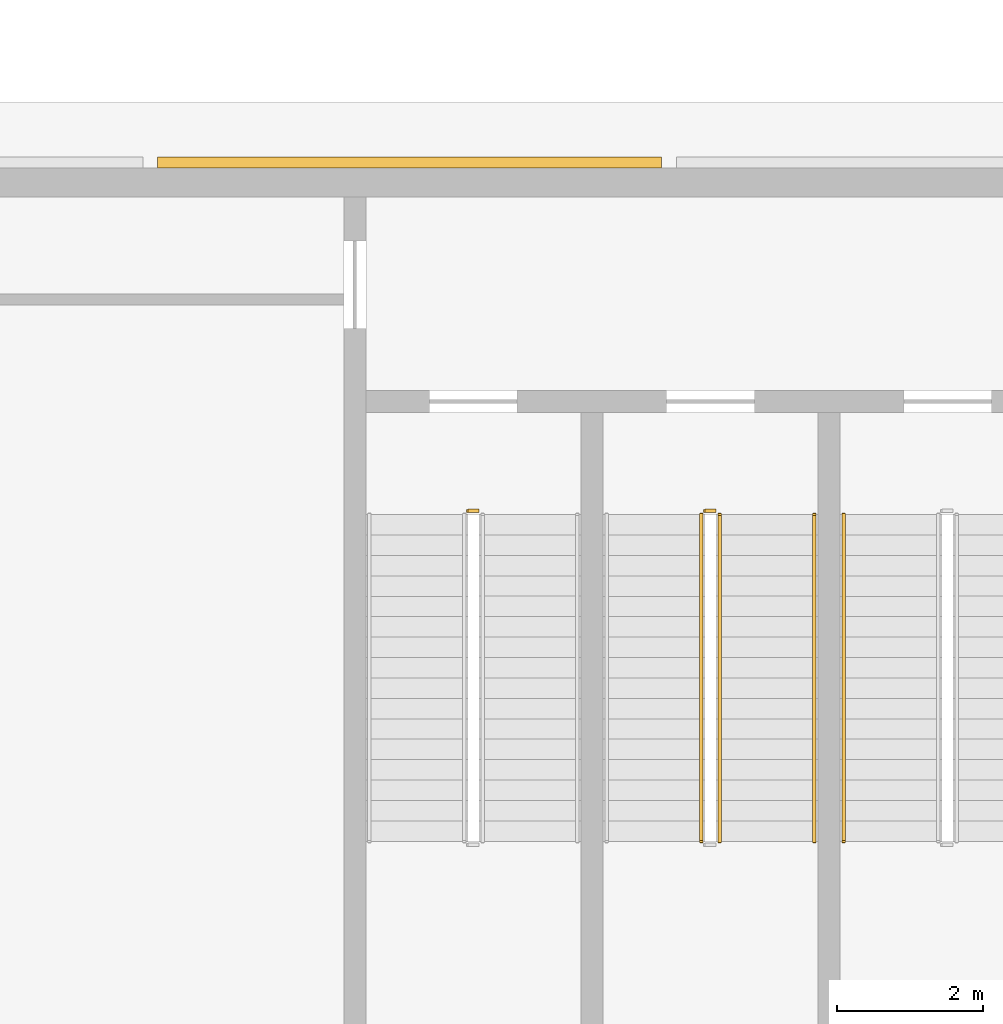
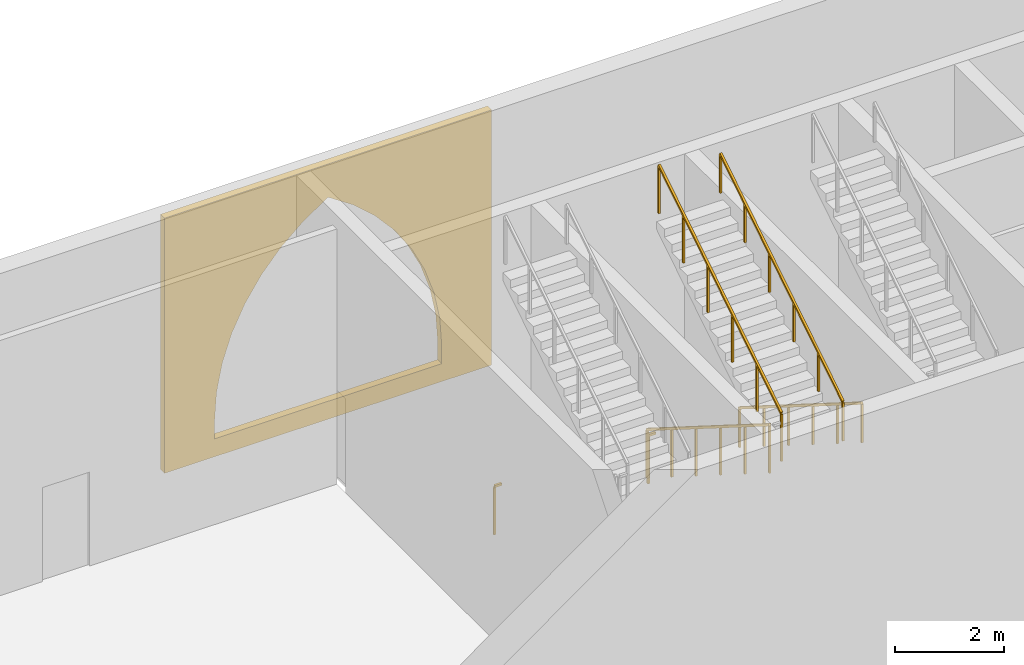
# One storey, part 47 of 74: 6 railings, 1 covering.
"""IFC4 building model written with IfcOpenShell, lengths in metres."""

from ifc_helpers import new_model, si_unit, direction, frame, origin, origin_2d, place, context, subcontext, project, spatial, polyline, rectangle, outline, extrude, material, layer, layer_set, type_object, element, save


model = new_model("IFC4")

# Units and contexts
model_context = context("Model", 3, precision=1e-05, world=origin(), true_north=direction((0.0, 1.0)))
body_context = subcontext(model_context, "Body", "Model", "MODEL_VIEW")
ifc_project = project(units=[si_unit("LENGTHUNIT", "METRE"), si_unit("AREAUNIT", "SQUARE_METRE"), si_unit("VOLUMEUNIT", "CUBIC_METRE"), si_unit("PLANEANGLEUNIT", "RADIAN"), si_unit("MASSUNIT", "GRAM", prefix="KILO")], contexts=[model_context])

# Site, building, storey
site_placement = place(None, origin())
site = spatial("IfcSite", under=ifc_project, at=site_placement, CompositionType="ELEMENT")
building_placement = place(site_placement, origin())
building = spatial("IfcBuilding", under=site, at=building_placement, Name="Noorbagh Ring Tower", CompositionType="ELEMENT")
storey_placement = place(building_placement, frame((0.0, 0.0, 7.5)))
storey = spatial("IfcBuildingStorey", under=building, at=storey_placement, Name="L01", CompositionType="ELEMENT", Elevation=7.5)

# Covering
ifc_material_1 = material(Name="Red sandstone cladding", Category="masonry")
ifc_layer = layer(ifc_material_1, 0.14990234375)
ifc_layer_set = layer_set([ifc_layer], Name="Red sandstone cladding")
covering_type = type_object("IfcCoveringType", Name="STH-BLIND", PredefinedType="USERDEFINED", material=ifc_layer_set)
covering_placement = place(storey_placement, frame((-124.04443359375, 31.14990234375, 0.0), z_axis=(0.0, 1.0, 0.0), x_axis=(-1.0, 0.0, 0.0)))
element("IfcCovering", 1, at=covering_placement, inside=storey, type_object=covering_type, Name="Blind arch bay", ObjectType="ARCH", PredefinedType="USERDEFINED", context=body_context, shape_type="SweptSolid", body=[
    extrude(outline(polyline([(0.0, 0.0), (6.9111328125, 0.0), (6.9111328125, 5.699951171875), (0.0, 5.699951171875), (0.0, 0.0)]), holes=[polyline([(1.0556640625, 0.39990234375), (1.0556640625, 0.800048828125), (1.0966796875, 1.426513671875), (1.21923828125, 2.042236328125), (1.4208984375, 2.636962890625), (1.69873046875, 3.199951171875), (2.047607421875, 3.72216796875), (2.46142578125, 4.194091796875), (2.93359375, 4.608154296875), (3.45556640625, 4.956787109375), (3.977783203125, 4.608154296875), (4.44970703125, 4.194091796875), (4.86376953125, 3.72216796875), (5.21240234375, 3.199951171875), (5.490234375, 2.636962890625), (5.69189453125, 2.042236328125), (5.814453125, 1.426513671875), (5.855712890625, 0.800048828125), (5.855712890625, 0.39990234375), (1.0556640625, 0.39990234375)])]), origin(), (0.0, 0.0, -1.0), 0.14990234375),
])

# Railings
ifc_material_2 = material(Name="Stainless steel", Category="steel")
railing_type_1 = type_object("IfcRailingType", Name="TH-STAIR-GUARD", PredefinedType="GUARDRAIL", material=ifc_material_2)
railing_1_placement = place(storey_placement, frame((-123.5, 26.25, 0.176513671875)))
element("IfcRailing", 2, at=railing_1_placement, inside=storey, type_object=railing_type_1, Name="L01 TSN1 stair guard 1", PredefinedType="GUARDRAIL", context=body_context, shape_type="SweptSolid", body=[
    extrude(rectangle(XDim=0.048095703125, YDim=0.048095703125, at=origin_2d()), frame((0.0, 0.0, 1.076171875), z_axis=(0.0, -0.845997938375, 0.533186166611), x_axis=(1.0, 0.0, 0.0)), (0.0, 0.0, 1.0), 5.29541015625),
    extrude(rectangle(XDim=0.0419921875, YDim=0.0419921875, at=origin_2d()), origin(), (0.0, 0.0, 1.0), 1.052001953125),
    extrude(rectangle(XDim=0.0419921875, YDim=0.0419921875, at=origin_2d()), frame((0.0, -0.89599609375, 0.564697265625)), (0.0, 0.0, 1.0), 1.052001953125),
    extrude(rectangle(XDim=0.0419921875, YDim=0.0419921875, at=origin_2d()), frame((0.0, -1.7919921875, 1.12939453125)), (0.0, 0.0, 1.0), 1.052001953125),
    extrude(rectangle(XDim=0.0419921875, YDim=0.0419921875, at=origin_2d()), frame((0.0, -2.68798828125, 1.694091796875)), (0.0, 0.0, 1.0), 1.052001953125),
    extrude(rectangle(XDim=0.0419921875, YDim=0.0419921875, at=origin_2d()), frame((0.0, -3.583984375, 2.2587890625)), (0.0, 0.0, 1.0), 1.052001953125),
    extrude(rectangle(XDim=0.0419921875, YDim=0.0419921875, at=origin_2d()), frame((0.0, -4.47998046875, 2.823486328125)), (0.0, 0.0, 1.0), 1.052001953125),
])
railing_2_placement = place(storey_placement, frame((-123.25, 21.77001953125, 3.176513671875)))
element("IfcRailing", 3, at=railing_2_placement, inside=storey, type_object=railing_type_1, Name="L01 TSN1 stair guard 3", PredefinedType="GUARDRAIL", context=body_context, shape_type="SweptSolid", body=[
    extrude(rectangle(XDim=0.048095703125, YDim=0.048095703125, at=origin_2d()), frame((0.0, 0.0, 1.076171875), z_axis=(0.0, 0.845997938375, 0.533186166611), x_axis=(-1.0, 0.0, 0.0)), (0.0, 0.0, 1.0), 5.29541015625),
    extrude(rectangle(XDim=0.0419921875, YDim=0.0419921875, at=origin_2d()), origin(), (0.0, 0.0, 1.0), 1.052001953125),
    extrude(rectangle(XDim=0.0419921875, YDim=0.0419921875, at=origin_2d()), frame((0.0, 0.89599609375, 0.564697265625)), (0.0, 0.0, 1.0), 1.052001953125),
    extrude(rectangle(XDim=0.0419921875, YDim=0.0419921875, at=origin_2d()), frame((0.0, 1.7919921875, 1.12939453125)), (0.0, 0.0, 1.0), 1.052001953125),
    extrude(rectangle(XDim=0.0419921875, YDim=0.0419921875, at=origin_2d()), frame((0.0, 2.68798828125, 1.694091796875)), (0.0, 0.0, 1.0), 1.052001953125),
    extrude(rectangle(XDim=0.0419921875, YDim=0.0419921875, at=origin_2d()), frame((0.0, 3.583984375, 2.2587890625)), (0.0, 0.0, 1.0), 1.052001953125),
    extrude(rectangle(XDim=0.0419921875, YDim=0.0419921875, at=origin_2d()), frame((0.0, 4.47998046875, 2.823486328125)), (0.0, 0.0, 1.0), 1.052001953125),
])
for number, where, name in (
    (4, (-123.449951171875, 26.300048828125, 0.0), "L01 TSN1 stair guard 4"),
    (5, (-126.699951171875, 26.300048828125, 0.0), "L01 TSN3 stair guard 4"),
):
    element("IfcRailing", number, at=place(storey_placement, frame(where)), inside=storey, type_object=railing_type_1, Name=name, PredefinedType="GUARDRAIL", context=body_context, shape_type="SweptSolid", body=[
        extrude(rectangle(XDim=0.048095703125, YDim=0.048095703125, at=origin_2d()), frame((0.0, 0.0, 1.076171875), z_axis=(1.0, 0.0, 0.0), x_axis=(0.0, 1.0, 0.0)), (0.0, 0.0, 1.0), 0.14990234375),
        extrude(rectangle(XDim=0.0419921875, YDim=0.0419921875, at=origin_2d()), origin(), (0.0, 0.0, 1.0), 1.052001953125),
    ])
ifc_material_3 = material(Name="Stainless steel", Category="steel")
railing_type_2 = type_object("IfcRailingType", Name="TH-STAIR-HANDRAIL", PredefinedType="HANDRAIL", material=ifc_material_3)
railing_3_placement = place(storey_placement, frame((-121.949951171875, 21.77001953125, 3.176513671875)))
element("IfcRailing", 6, at=railing_3_placement, inside=storey, type_object=railing_type_2, Name="L01 TSN1 stair handrail 2", PredefinedType="HANDRAIL", context=body_context, shape_type="SweptSolid", body=[
    extrude(rectangle(XDim=0.048095703125, YDim=0.048095703125, at=origin_2d()), frame((0.0, 0.0, 0.8759765625), z_axis=(0.0, 0.845997938375, 0.533186166611), x_axis=(-1.0, 0.0, 0.0)), (0.0, 0.0, 1.0), 5.29541015625),
    extrude(rectangle(XDim=0.0419921875, YDim=0.0419921875, at=origin_2d()), origin(), (0.0, 0.0, 1.0), 0.851806640625),
    extrude(rectangle(XDim=0.0419921875, YDim=0.0419921875, at=origin_2d()), frame((0.0, 0.89599609375, 0.564697265625)), (0.0, 0.0, 1.0), 0.851806640625),
    extrude(rectangle(XDim=0.0419921875, YDim=0.0419921875, at=origin_2d()), frame((0.0, 1.7919921875, 1.12939453125)), (0.0, 0.0, 1.0), 0.851806640625),
    extrude(rectangle(XDim=0.0419921875, YDim=0.0419921875, at=origin_2d()), frame((0.0, 2.68798828125, 1.694091796875)), (0.0, 0.0, 1.0), 0.851806640625),
    extrude(rectangle(XDim=0.0419921875, YDim=0.0419921875, at=origin_2d()), frame((0.0, 3.583984375, 2.2587890625)), (0.0, 0.0, 1.0), 0.851806640625),
    extrude(rectangle(XDim=0.0419921875, YDim=0.0419921875, at=origin_2d()), frame((0.0, 4.47998046875, 2.823486328125)), (0.0, 0.0, 1.0), 0.851806640625),
])
railing_4_placement = place(storey_placement, frame((-121.550048828125, 26.25, 0.176513671875)))
element("IfcRailing", 7, at=railing_4_placement, inside=storey, type_object=railing_type_2, Name="L01 TSN2 stair handrail 1", PredefinedType="HANDRAIL", context=body_context, shape_type="SweptSolid", body=[
    extrude(rectangle(XDim=0.048095703125, YDim=0.048095703125, at=origin_2d()), frame((0.0, 0.0, 0.8759765625), z_axis=(0.0, -0.845997938375, 0.533186166611), x_axis=(1.0, 0.0, 0.0)), (0.0, 0.0, 1.0), 5.29541015625),
    extrude(rectangle(XDim=0.0419921875, YDim=0.0419921875, at=origin_2d()), origin(), (0.0, 0.0, 1.0), 0.851806640625),
    extrude(rectangle(XDim=0.0419921875, YDim=0.0419921875, at=origin_2d()), frame((0.0, -0.89599609375, 0.564697265625)), (0.0, 0.0, 1.0), 0.851806640625),
    extrude(rectangle(XDim=0.0419921875, YDim=0.0419921875, at=origin_2d()), frame((0.0, -1.7919921875, 1.12939453125)), (0.0, 0.0, 1.0), 0.851806640625),
    extrude(rectangle(XDim=0.0419921875, YDim=0.0419921875, at=origin_2d()), frame((0.0, -2.68798828125, 1.694091796875)), (0.0, 0.0, 1.0), 0.851806640625),
    extrude(rectangle(XDim=0.0419921875, YDim=0.0419921875, at=origin_2d()), frame((0.0, -3.583984375, 2.2587890625)), (0.0, 0.0, 1.0), 0.851806640625),
    extrude(rectangle(XDim=0.0419921875, YDim=0.0419921875, at=origin_2d()), frame((0.0, -4.47998046875, 2.823486328125)), (0.0, 0.0, 1.0), 0.851806640625),
])

save(model, "model.ifc")
